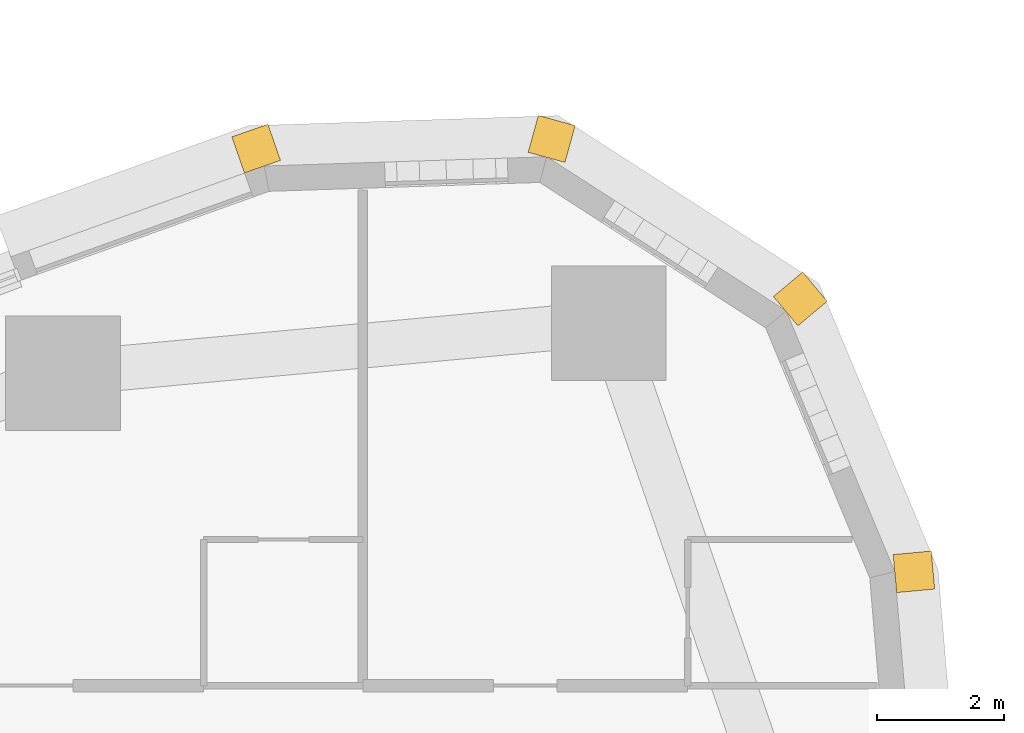
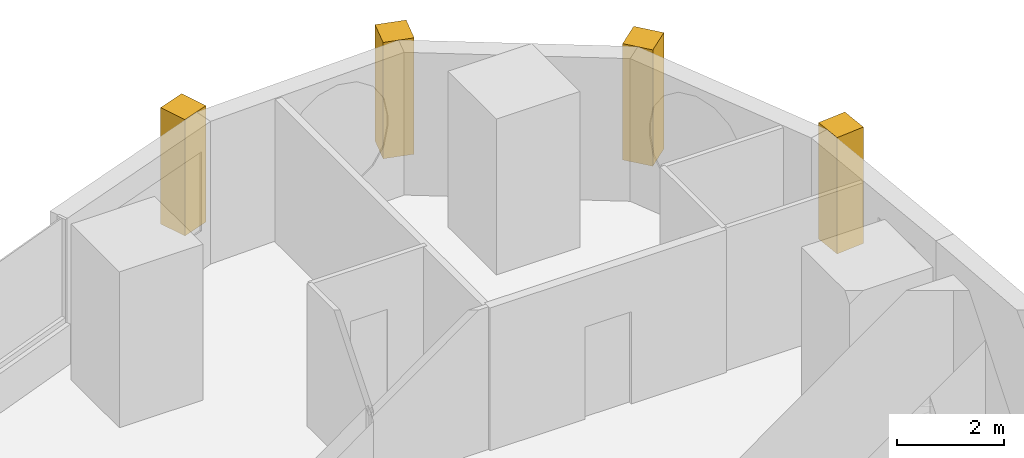
# One storey, part 19 of 19: 4 coverings.
"""IFC4 building model written with IfcOpenShell, lengths in metres."""

from ifc_helpers import new_model, si_unit, direction, frame, frame_2d, origin, place, context, subcontext, project, spatial, rectangle, extrude, material, layer, layer_set, type_object, element, save


model = new_model("IFC4")

# Units and contexts
model_context = context("Model", 3, precision=1e-05, world=origin(), true_north=direction((0.0, 1.0)))
body_context = subcontext(model_context, "Body", "Model", "MODEL_VIEW")
ifc_project = project(units=[si_unit("LENGTHUNIT", "METRE"), si_unit("AREAUNIT", "SQUARE_METRE"), si_unit("VOLUMEUNIT", "CUBIC_METRE"), si_unit("PLANEANGLEUNIT", "RADIAN"), si_unit("MASSUNIT", "GRAM", prefix="KILO")], contexts=[model_context])

# Site, building, storey
site_placement = place(None, origin())
site = spatial("IfcSite", under=ifc_project, at=site_placement, CompositionType="ELEMENT")
building_placement = place(site_placement, origin())
building = spatial("IfcBuilding", under=site, at=building_placement, Name="Ostrand Prow Hotel Tower", CompositionType="ELEMENT")
storey_placement = place(building_placement, frame((0.0, 0.0, 68.0)))
storey = spatial("IfcBuildingStorey", under=building, at=storey_placement, Name="L15", CompositionType="ELEMENT", Elevation=68.0)

# Coverings
ifc_material = material(Name="Limestone cladding", Category="masonry")
ifc_layer = layer(ifc_material, 0.60009765625)
ifc_layer_set = layer_set([ifc_layer], Name="Limestone cladding")
covering_type = type_object("IfcCoveringType", Name="Precast stone prow rib 600x600", PredefinedType="CLADDING", material=ifc_layer_set)
for number, where, z_axis, x_axis, name in (
    (1, (65.4580078125, 22.564453125, 0.60009765625), (0.0, 0.0, 1.0), (0.995724747837, 0.09237005221, 0.0), "Stone corner rib 16a"),
    (2, (63.74169921875, 26.6865234375, 0.60009765625), (0.0, 0.0, 1.0), (0.766985844654, 0.641664019639, 0.0), "Stone corner rib 17a"),
    (3, (59.98681640625, 29.1025390625, 0.60009765625), (0.0, 0.0, 1.0), (0.266111535611, 0.963942244439, 0.0), "Stone corner rib 18a"),
    (4, (55.524169921875, 28.956298828125, 0.60009765625), (0.0, 0.0, 1.0), (-0.328773122904, 0.94440893349, 0.0), "Stone corner rib 18b"),
):
    element("IfcCovering", number, at=place(storey_placement, frame(where, z_axis=z_axis, x_axis=x_axis)), inside=storey, type_object=covering_type, Name=name, PredefinedType="CLADDING", context=body_context, shape_type="SweptSolid", body=[
        extrude(rectangle(XDim=0.60009765625, YDim=0.60009765625, at=frame_2d((0.300048828125, 0.0))), origin(), (0.0, 0.0, 1.0), 2.64990234375),
    ])

save(model, "model.ifc")
